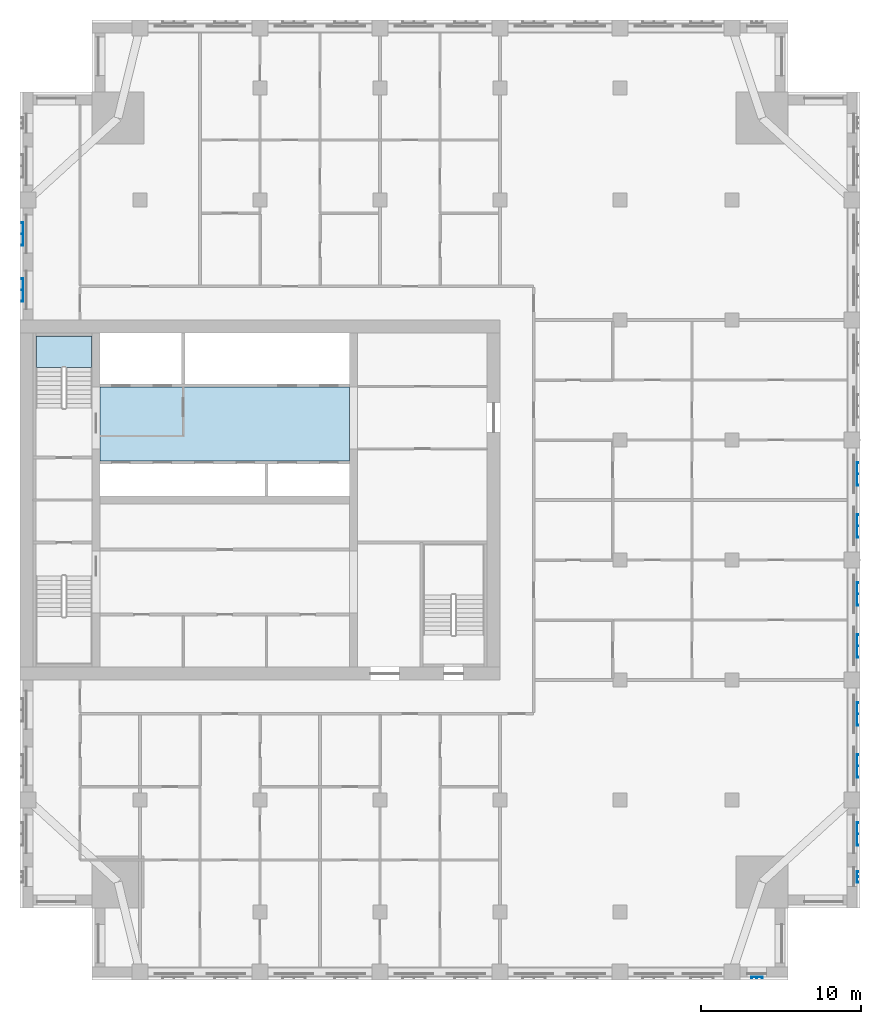
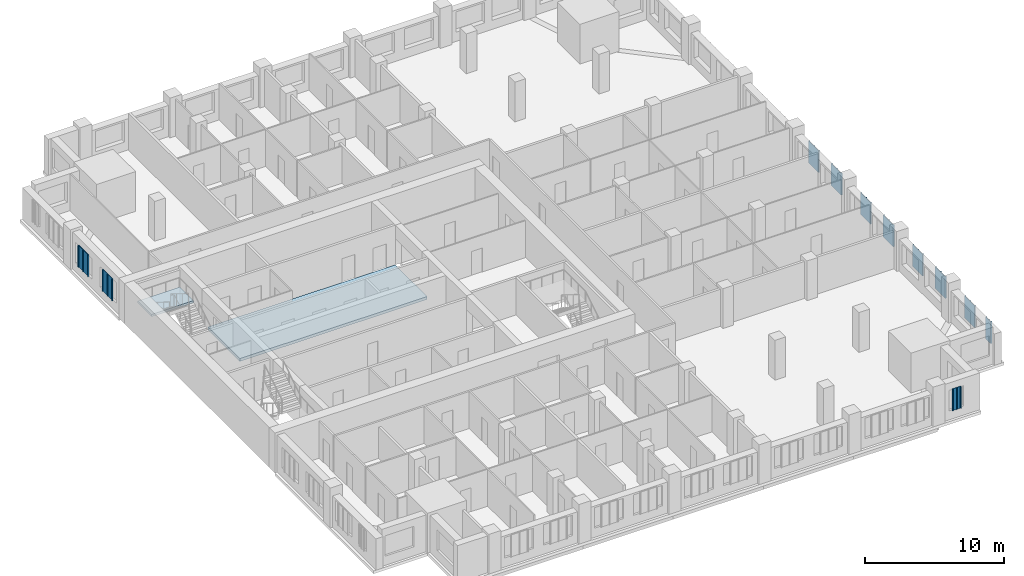
# One storey, part 4 of 14: 11 plates, 2 slabs, 1 element without a shape of its own.
"""IFC4 building model written with IfcOpenShell, lengths in metres."""

from ifc_helpers import new_model, si_unit, direction, frame, origin, place, context, subcontext, project, spatial, polyline, outline, extrude, material, layer, layer_set, type_object, element, aggregate, save


model = new_model("IFC4")

# Units and contexts
model_context = context("Model", 3, precision=1e-05, world=origin(), true_north=direction((0.0, 1.0)))
body_context = subcontext(model_context, "Body", "Model", "MODEL_VIEW")
ifc_project = project(units=[si_unit("LENGTHUNIT", "METRE"), si_unit("AREAUNIT", "SQUARE_METRE"), si_unit("VOLUMEUNIT", "CUBIC_METRE"), si_unit("PLANEANGLEUNIT", "RADIAN"), si_unit("MASSUNIT", "GRAM", prefix="KILO")], contexts=[model_context])

# Site, building, storey
site_placement = place(None, origin())
site = spatial("IfcSite", under=ifc_project, at=site_placement, CompositionType="ELEMENT")
building_placement = place(site_placement, origin())
building = spatial("IfcBuilding", under=site, at=building_placement, Name="Tamorin Gate", CompositionType="ELEMENT")
storey_placement = place(building_placement, frame((0.0, 0.0, 193.199951171875)))
storey = spatial("IfcBuildingStorey", under=building, at=storey_placement, Name="L47", CompositionType="ELEMENT", Elevation=193.199951171875)

# Slab
ifc_material_1 = material(Name="Concrete C40/50", Category="concrete")
ifc_layer_1 = layer(ifc_material_1, 0.25)
ifc_layer_set_1 = layer_set([ifc_layer_1], Name="Core floor slab 250 C40/50")
slab_type_1 = type_object("IfcSlabType", Name="Core floor slab 250 C40/50", PredefinedType="FLOOR", material=ifc_layer_set_1)
slab_1_placement = place(storey_placement, frame((0.0, 0.0, -0.25)))
element("IfcSlab", 1, at=slab_1_placement, inside=storey, type_object=slab_type_1, Name="Core floor L47", PredefinedType="FLOOR", context=body_context, shape_type="SweptSolid", body=[
    extrude(outline(polyline([(50.60009765625, 73.699951171875), (35.0, 73.699951171875), (35.0, 78.300048828125), (50.60009765625, 78.300048828125), (50.60009765625, 73.699951171875)])), origin(), (0.0, 0.0, 1.0), 0.25),
])

# Stair, slab
stair_type = type_object("IfcStairType", Name="Exit stair", PredefinedType="HALF_TURN_STAIR", material=ifc_material_1)
stair_placement = place(storey_placement, origin())
stair = element("IfcStair", 2, at=stair_placement, inside=storey, type_object=stair_type, Name="L47 stair ST2", PredefinedType="HALF_TURN_STAIR")
ifc_layer_2 = layer(ifc_material_1, 0.199951171875)
ifc_layer_set_2 = layer_set([ifc_layer_2], Name="Exit stair landing 200")
slab_type_2 = type_object("IfcSlabType", Name="Exit stair landing 200", PredefinedType="LANDING", material=ifc_layer_set_2)
slab_2_placement = place(storey_placement, frame((0.0, 0.0, 1.550048828125)))
slab_2 = element("IfcSlab", 3, at=slab_2_placement, type_object=slab_type_2, Name="ST2 landing 1", PredefinedType="LANDING", context=body_context, shape_type="SweptSolid", body=[
    extrude(outline(polyline([(34.5, 79.52001953125), (34.5, 81.5), (31.0, 81.5), (31.0, 79.52001953125), (34.5, 79.52001953125)])), origin(), (0.0, 0.0, 1.0), 0.199951171875),
])
aggregate(stair, [slab_2])

# Plates
ifc_material_2 = material(Name="Perforated pale aluminium sheet", Category="aluminium")
ifc_layer_3 = layer(ifc_material_2, 0.0400390625)
ifc_layer_set_3 = layer_set([ifc_layer_3], Name="Pale metal solar screen 1440")
plate_type_1 = type_object("IfcPlateType", Name="Pale metal solar screen 1440", PredefinedType="SHEET", material=ifc_layer_set_3)
plate_1_placement = place(storey_placement, frame((0.0, 0.0, 0.737548828125)))
element("IfcPlate", 4, at=plate_1_placement, inside=storey, type_object=plate_type_1, Name="Perforated solar screen", PredefinedType="SHEET", context=body_context, shape_type="SweptSolid", body=[
    extrude(outline(polyline([(82.340087890625, 49.655029296875), (82.300048828125, 49.655029296875), (82.300048828125, 49.715087890625), (82.300048828125, 50.344970703125), (82.300048828125, 50.405029296875), (82.300048828125, 51.034912109375), (82.300048828125, 51.094970703125), (82.300048828125, 51.094970703125), (82.340087890625, 51.094970703125), (82.340087890625, 51.094970703125), (82.39990234375, 51.094970703125), (82.39990234375, 51.034912109375), (82.340087890625, 51.034912109375), (82.340087890625, 50.405029296875), (82.39990234375, 50.405029296875), (82.39990234375, 50.344970703125), (82.340087890625, 50.344970703125), (82.340087890625, 49.715087890625), (82.39990234375, 49.715087890625), (82.39990234375, 49.655029296875), (82.340087890625, 49.655029296875)])), origin(), (0.0, 0.0, 1.0), 1.925048828125),
])
plate_2_placement = place(storey_placement, frame((0.0, 0.0, 0.737548828125)))
element("IfcPlate", 5, at=plate_2_placement, inside=storey, type_object=plate_type_1, Name="Perforated solar screen", PredefinedType="SHEET", context=body_context, shape_type="SweptSolid", body=[
    extrude(outline(polyline([(82.340087890625, 53.905029296875), (82.300048828125, 53.905029296875), (82.300048828125, 53.965087890625), (82.300048828125, 54.594970703125), (82.300048828125, 54.655029296875), (82.300048828125, 55.284912109375), (82.300048828125, 55.344970703125), (82.340087890625, 55.344970703125), (82.39990234375, 55.344970703125), (82.39990234375, 55.284912109375), (82.340087890625, 55.284912109375), (82.340087890625, 54.655029296875), (82.39990234375, 54.655029296875), (82.39990234375, 54.594970703125), (82.340087890625, 54.594970703125), (82.340087890625, 53.965087890625), (82.39990234375, 53.965087890625), (82.39990234375, 53.905029296875), (82.340087890625, 53.905029296875)])), origin(), (0.0, 0.0, 1.0), 1.925048828125),
])
plate_3_placement = place(storey_placement, frame((0.0, 0.0, 0.737548828125)))
element("IfcPlate", 6, at=plate_3_placement, inside=storey, type_object=plate_type_1, Name="Perforated solar screen", PredefinedType="SHEET", context=body_context, shape_type="SweptSolid", body=[
    extrude(outline(polyline([(82.340087890625, 57.155029296875), (82.300048828125, 57.155029296875), (82.300048828125, 57.215087890625), (82.300048828125, 57.844970703125), (82.300048828125, 57.905029296875), (82.300048828125, 58.534912109375), (82.300048828125, 58.594970703125), (82.340087890625, 58.594970703125), (82.39990234375, 58.594970703125), (82.39990234375, 58.534912109375), (82.340087890625, 58.534912109375), (82.340087890625, 57.905029296875), (82.39990234375, 57.905029296875), (82.39990234375, 57.844970703125), (82.340087890625, 57.844970703125), (82.340087890625, 57.215087890625), (82.39990234375, 57.215087890625), (82.39990234375, 57.155029296875), (82.340087890625, 57.155029296875)])), origin(), (0.0, 0.0, 1.0), 1.925048828125),
])
plate_4_placement = place(storey_placement, frame((0.0, 0.0, 0.737548828125)))
element("IfcPlate", 7, at=plate_4_placement, inside=storey, type_object=plate_type_1, Name="Perforated solar screen", PredefinedType="SHEET", context=body_context, shape_type="SweptSolid", body=[
    extrude(outline(polyline([(82.340087890625, 61.405029296875), (82.300048828125, 61.405029296875), (82.300048828125, 61.465087890625), (82.300048828125, 62.094970703125), (82.300048828125, 62.155029296875), (82.300048828125, 62.784912109375), (82.300048828125, 62.844970703125), (82.340087890625, 62.844970703125), (82.39990234375, 62.844970703125), (82.39990234375, 62.784912109375), (82.340087890625, 62.784912109375), (82.340087890625, 62.155029296875), (82.39990234375, 62.155029296875), (82.39990234375, 62.094970703125), (82.340087890625, 62.094970703125), (82.340087890625, 61.465087890625), (82.39990234375, 61.465087890625), (82.39990234375, 61.405029296875), (82.340087890625, 61.405029296875)])), origin(), (0.0, 0.0, 1.0), 1.925048828125),
])
plate_5_placement = place(storey_placement, frame((0.0, 0.0, 0.737548828125)))
element("IfcPlate", 8, at=plate_5_placement, inside=storey, type_object=plate_type_1, Name="Perforated solar screen", PredefinedType="SHEET", context=body_context, shape_type="SweptSolid", body=[
    extrude(outline(polyline([(82.340087890625, 64.655029296875), (82.300048828125, 64.655029296875), (82.300048828125, 64.715087890625), (82.300048828125, 65.344970703125), (82.300048828125, 65.405029296875), (82.300048828125, 66.034912109375), (82.300048828125, 66.094970703125), (82.340087890625, 66.094970703125), (82.39990234375, 66.094970703125), (82.39990234375, 66.034912109375), (82.340087890625, 66.034912109375), (82.340087890625, 65.405029296875), (82.39990234375, 65.405029296875), (82.39990234375, 65.344970703125), (82.340087890625, 65.344970703125), (82.340087890625, 64.715087890625), (82.39990234375, 64.715087890625), (82.39990234375, 64.655029296875), (82.340087890625, 64.655029296875)])), origin(), (0.0, 0.0, 1.0), 1.925048828125),
])
plate_6_placement = place(storey_placement, frame((0.0, 0.0, 0.737548828125)))
element("IfcPlate", 9, at=plate_6_placement, inside=storey, type_object=plate_type_1, Name="Perforated solar screen", PredefinedType="SHEET", context=body_context, shape_type="SweptSolid", body=[
    extrude(outline(polyline([(82.340087890625, 68.905029296875), (82.300048828125, 68.905029296875), (82.300048828125, 68.965087890625), (82.300048828125, 69.594970703125), (82.300048828125, 69.655029296875), (82.300048828125, 70.284912109375), (82.300048828125, 70.344970703125), (82.340087890625, 70.344970703125), (82.39990234375, 70.344970703125), (82.39990234375, 70.284912109375), (82.340087890625, 70.284912109375), (82.340087890625, 69.655029296875), (82.39990234375, 69.655029296875), (82.39990234375, 69.594970703125), (82.340087890625, 69.594970703125), (82.340087890625, 68.965087890625), (82.39990234375, 68.965087890625), (82.39990234375, 68.905029296875), (82.340087890625, 68.905029296875)])), origin(), (0.0, 0.0, 1.0), 1.925048828125),
])
plate_7_placement = place(storey_placement, frame((0.0, 0.0, 0.737548828125)))
element("IfcPlate", 10, at=plate_7_placement, inside=storey, type_object=plate_type_1, Name="Perforated solar screen", PredefinedType="SHEET", context=body_context, shape_type="SweptSolid", body=[
    extrude(outline(polyline([(82.340087890625, 72.155029296875), (82.300048828125, 72.155029296875), (82.300048828125, 72.215087890625), (82.300048828125, 72.844970703125), (82.300048828125, 72.905029296875), (82.300048828125, 73.534912109375), (82.300048828125, 73.594970703125), (82.340087890625, 73.594970703125), (82.39990234375, 73.594970703125), (82.39990234375, 73.534912109375), (82.340087890625, 73.534912109375), (82.340087890625, 72.905029296875), (82.39990234375, 72.905029296875), (82.39990234375, 72.844970703125), (82.340087890625, 72.844970703125), (82.340087890625, 72.215087890625), (82.39990234375, 72.215087890625), (82.39990234375, 72.155029296875), (82.340087890625, 72.155029296875)])), origin(), (0.0, 0.0, 1.0), 1.925048828125),
])
plate_8_placement = place(storey_placement, frame((0.0, 0.0, 0.737548828125)))
element("IfcPlate", 11, at=plate_8_placement, inside=storey, type_object=plate_type_1, Name="Perforated solar screen", PredefinedType="SHEET", context=body_context, shape_type="SweptSolid", body=[
    extrude(outline(polyline([(30.159912109375, 85.094970703125), (30.199951171875, 85.094970703125), (30.199951171875, 85.034912109375), (30.199951171875, 84.405029296875), (30.199951171875, 84.344970703125), (30.199951171875, 83.715087890625), (30.199951171875, 83.655029296875), (30.159912109375, 83.655029296875), (30.10009765625, 83.655029296875), (30.10009765625, 83.715087890625), (30.159912109375, 83.715087890625), (30.159912109375, 84.344970703125), (30.10009765625, 84.344970703125), (30.10009765625, 84.405029296875), (30.159912109375, 84.405029296875), (30.159912109375, 85.034912109375), (30.10009765625, 85.034912109375), (30.10009765625, 85.094970703125), (30.159912109375, 85.094970703125)])), origin(), (0.0, 0.0, 1.0), 1.925048828125),
])
plate_9_placement = place(storey_placement, frame((0.0, 0.0, 0.737548828125)))
element("IfcPlate", 12, at=plate_9_placement, inside=storey, type_object=plate_type_1, Name="Perforated solar screen", PredefinedType="SHEET", context=body_context, shape_type="SweptSolid", body=[
    extrude(outline(polyline([(30.159912109375, 88.594970703125), (30.199951171875, 88.594970703125), (30.199951171875, 88.534912109375), (30.199951171875, 87.905029296875), (30.199951171875, 87.844970703125), (30.199951171875, 87.215087890625), (30.199951171875, 87.155029296875), (30.159912109375, 87.155029296875), (30.10009765625, 87.155029296875), (30.10009765625, 87.215087890625), (30.159912109375, 87.215087890625), (30.159912109375, 87.844970703125), (30.10009765625, 87.844970703125), (30.10009765625, 87.905029296875), (30.159912109375, 87.905029296875), (30.159912109375, 88.534912109375), (30.10009765625, 88.534912109375), (30.10009765625, 88.594970703125), (30.159912109375, 88.594970703125)])), origin(), (0.0, 0.0, 1.0), 1.925048828125),
])
ifc_layer_4 = layer(ifc_material_2, 0.0400390625)
ifc_layer_set_4 = layer_set([ifc_layer_4], Name="Pale metal solar screen 720")
plate_type_2 = type_object("IfcPlateType", Name="Pale metal solar screen 720", PredefinedType="SHEET", material=ifc_layer_set_4)
plate_10_placement = place(storey_placement, frame((0.0, 0.0, 0.737548828125)))
element("IfcPlate", 13, at=plate_10_placement, inside=storey, type_object=plate_type_2, Name="Perforated solar screen", PredefinedType="SHEET", context=body_context, shape_type="SweptSolid", body=[
    extrude(outline(polyline([(75.68994140625, 41.409912109375), (75.68994140625, 41.449951171875), (75.75, 41.449951171875), (76.02001953125, 41.449951171875), (76.080078125, 41.449951171875), (76.35009765625, 41.449951171875), (76.409912109375, 41.449951171875), (76.409912109375, 41.409912109375), (76.409912109375, 41.35009765625), (76.35009765625, 41.35009765625), (76.35009765625, 41.409912109375), (76.080078125, 41.409912109375), (76.080078125, 41.35009765625), (76.02001953125, 41.35009765625), (76.02001953125, 41.409912109375), (75.75, 41.409912109375), (75.75, 41.35009765625), (75.68994140625, 41.35009765625), (75.68994140625, 41.409912109375)])), origin(), (0.0, 0.0, 1.0), 1.925048828125),
])
plate_11_placement = place(storey_placement, frame((0.0, 0.0, 0.737548828125)))
element("IfcPlate", 14, at=plate_11_placement, inside=storey, type_object=plate_type_2, Name="Perforated solar screen", PredefinedType="SHEET", context=body_context, shape_type="SweptSolid", body=[
    extrude(outline(polyline([(82.340087890625, 47.340087890625), (82.300048828125, 47.340087890625), (82.300048828125, 47.39990234375), (82.300048828125, 47.669921875), (82.300048828125, 47.72998046875), (82.300048828125, 48.0), (82.300048828125, 48.06005859375), (82.340087890625, 48.06005859375), (82.39990234375, 48.06005859375), (82.39990234375, 48.0), (82.340087890625, 48.0), (82.340087890625, 47.72998046875), (82.39990234375, 47.72998046875), (82.39990234375, 47.669921875), (82.340087890625, 47.669921875), (82.340087890625, 47.39990234375), (82.39990234375, 47.39990234375), (82.39990234375, 47.340087890625), (82.340087890625, 47.340087890625)])), origin(), (0.0, 0.0, 1.0), 1.925048828125),
])

save(model, "model.ifc")
